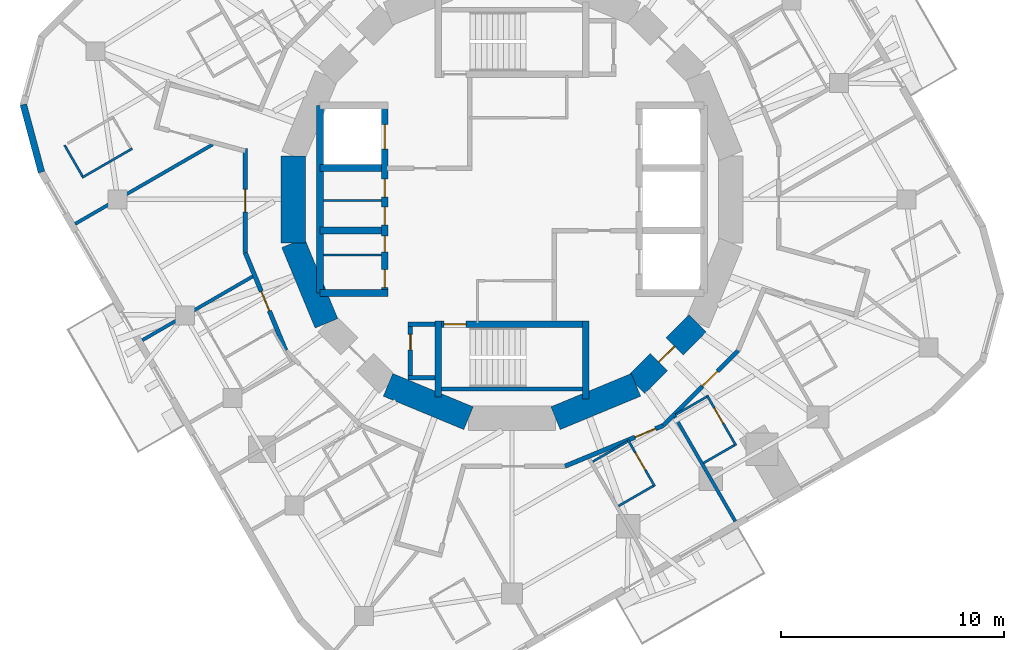
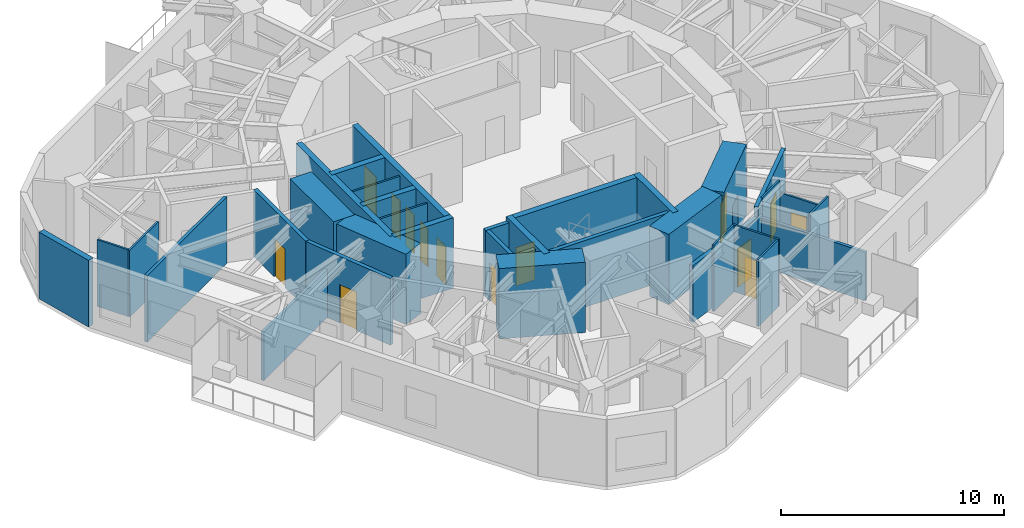
# One storey, part 5 of 11: 35 walls, 14 doors, 14 openings.
"""IFC4 building model written with IfcOpenShell, lengths in metres."""

from ifc_helpers import new_model, si_unit, direction, frame, frame_2d, origin, place, context, subcontext, project, spatial, rectangle, extrude, material, layer, layer_set, type_object, element, fill, save


model = new_model("IFC4")

# Units and contexts
model_context = context("Model", 3, precision=1e-05, world=origin(), true_north=direction((0.0, 1.0)))
body_context = subcontext(model_context, "Body", "Model", "MODEL_VIEW")
ifc_project = project(units=[si_unit("LENGTHUNIT", "METRE"), si_unit("AREAUNIT", "SQUARE_METRE"), si_unit("VOLUMEUNIT", "CUBIC_METRE"), si_unit("PLANEANGLEUNIT", "RADIAN"), si_unit("MASSUNIT", "GRAM", prefix="KILO")], contexts=[model_context])

# Site, building, storey
site_placement = place(None, origin())
site = spatial("IfcSite", under=ifc_project, at=site_placement, CompositionType="ELEMENT")
building_placement = place(site_placement, origin())
building = spatial("IfcBuilding", under=site, at=building_placement, Name="Nakasero Lantern House", CompositionType="ELEMENT")
storey_placement = place(building_placement, frame((0.0, 0.0, 242.35009765625)))
storey = spatial("IfcBuildingStorey", under=building, at=storey_placement, Name="L59", CompositionType="ELEMENT", Elevation=242.35009765625)

# Wall, openings, doors
ifc_material_1 = material(Name="Concrete C50/60", Category="concrete")
ifc_layer_1 = layer(ifc_material_1, 0.300048828125)
ifc_layer_set_1 = layer_set([ifc_layer_1], Name="Core inner wall 300")
wall_type_1 = type_object("IfcWallType", Name="Core inner wall 300", PredefinedType="SHEAR", material=ifc_layer_set_1)
wall_1_placement = place(storey_placement, frame((-5.699951171875, -4.199951171875, 0.0), z_axis=(0.0, 0.0, 1.0), x_axis=(0.0, 1.0, 0.0)))
wall_1 = element("IfcWall", 1, at=wall_1_placement, inside=storey, type_object=wall_type_1, Name="Core inner wall L59 LW", PredefinedType="SHEAR", context=body_context, shape_type="SweptSolid", body=[
    extrude(rectangle(XDim=8.39990234375, YDim=0.300048828125, at=frame_2d((4.199951171875, 0.0))), origin(), (0.0, 0.0, 1.0), 3.849853515625),
])
opening_1_placement = place(wall_1_placement, frame((0.25, 0.0, 0.0)))
opening_1 = element("IfcOpeningElement", 2, at=opening_1_placement, cuts=wall_1, Name="Opening D19", PredefinedType="OPENING", context=body_context, shape_type="SweptSolid", body=[
    extrude(rectangle(XDim=0.800048828125, YDim=2.10009765625, at=frame_2d((0.39990234375, 1.050048828125))), frame((0.0, 0.169921875, 0.0), z_axis=(0.0, -1.0, 0.0), x_axis=(1.0, 0.0, 0.0)), (0.0, 0.0, 1.0), 0.340087890625),
])
opening_2_placement = place(wall_1_placement, frame((1.85009765625, 0.0, 0.0)))
opening_2 = element("IfcOpeningElement", 3, at=opening_2_placement, cuts=wall_1, Name="Opening D20", PredefinedType="OPENING", context=body_context, shape_type="SweptSolid", body=[
    extrude(rectangle(XDim=0.699951171875, YDim=2.10009765625, at=frame_2d((0.35009765625, 1.050048828125))), frame((0.0, 0.169921875, 0.0), z_axis=(0.0, -1.0, 0.0), x_axis=(1.0, 0.0, 0.0)), (0.0, 0.0, 1.0), 0.340087890625),
])
opening_3_placement = place(wall_1_placement, frame((3.050048828125, 0.0, 0.0)))
opening_3 = element("IfcOpeningElement", 4, at=opening_3_placement, cuts=wall_1, Name="Opening D15", PredefinedType="OPENING", context=body_context, shape_type="SweptSolid", body=[
    extrude(rectangle(XDim=0.800048828125, YDim=2.10009765625, at=frame_2d((0.39990234375, 1.050048828125))), frame((0.0, 0.169921875, 0.0), z_axis=(0.0, -1.0, 0.0), x_axis=(1.0, 0.0, 0.0)), (0.0, 0.0, 1.0), 0.340087890625),
])
opening_4_placement = place(wall_1_placement, frame((4.300048828125, 0.0, 0.0)))
opening_4 = element("IfcOpeningElement", 5, at=opening_4_placement, cuts=wall_1, Name="Opening D15", PredefinedType="OPENING", context=body_context, shape_type="SweptSolid", body=[
    extrude(rectangle(XDim=0.800048828125, YDim=2.10009765625, at=frame_2d((0.39990234375, 1.050048828125))), frame((0.0, 0.169921875, 0.0), z_axis=(0.0, -1.0, 0.0), x_axis=(1.0, 0.0, 0.0)), (0.0, 0.0, 1.0), 0.340087890625),
])
opening_5_placement = place(wall_1_placement, frame((6.449951171875, 0.0, 0.0)))
opening_5 = element("IfcOpeningElement", 6, at=opening_5_placement, cuts=wall_1, Name="Opening LD", PredefinedType="OPENING", context=body_context, shape_type="SweptSolid", body=[
    extrude(rectangle(XDim=1.10009765625, YDim=2.10009765625, at=frame_2d((0.550048828125, 1.050048828125))), frame((0.0, 0.169921875, 0.0), z_axis=(0.0, -1.0, 0.0), x_axis=(1.0, 0.0, 0.0)), (0.0, 0.0, 1.0), 0.340087890625),
])
ifc_material_2 = material(Name="Timber C24", Category="wood")
door_type_1 = type_object("IfcDoorType", Name="Cleaner's store door FD30S 700", OperationType="SINGLE_SWING_LEFT", PredefinedType="DOOR", material=ifc_material_2)
door_1_placement = place(opening_2_placement, origin())
door_1 = element("IfcDoor", 7, at=door_1_placement, inside=storey, type_object=door_type_1, Name="Door L59 D-SH-LW1b", OperationType="SINGLE_SWING_LEFT", OverallHeight=2.10009765625, OverallWidth=0.699951171875, PredefinedType="DOOR", context=body_context, shape_type="SweptSolid", body=[
    extrude(rectangle(XDim=0.699951171875, YDim=2.10009765625, at=frame_2d((0.35009765625, 1.050048828125))), frame((0.0, 0.02490234375, 0.0), z_axis=(0.0, -1.0, 0.0), x_axis=(1.0, 0.0, 0.0)), (0.0, 0.0, 1.0), 0.050048828125),
])
fill(opening_2, door_1)
ifc_material_3 = material(Name="Timber C24", Category="wood")
door_type_2 = type_object("IfcDoorType", Name="Cleaner's store door FD30S 800", OperationType="SINGLE_SWING_LEFT", PredefinedType="DOOR", material=ifc_material_3)
door_2_placement = place(opening_3_placement, origin())
door_2 = element("IfcDoor", 8, at=door_2_placement, inside=storey, type_object=door_type_2, Name="Door L59 D-SH-LW2a", OperationType="SINGLE_SWING_LEFT", OverallHeight=2.10009765625, OverallWidth=0.800048828125, PredefinedType="DOOR", context=body_context, shape_type="SweptSolid", body=[
    extrude(rectangle(XDim=0.800048828125, YDim=2.10009765625, at=frame_2d((0.39990234375, 1.050048828125))), frame((0.0, 0.02490234375, 0.0), z_axis=(0.0, -1.0, 0.0), x_axis=(1.0, 0.0, 0.0)), (0.0, 0.0, 1.0), 0.050048828125),
])
fill(opening_3, door_2)
door_3_placement = place(opening_4_placement, origin())
door_3 = element("IfcDoor", 9, at=door_3_placement, inside=storey, type_object=door_type_2, Name="Door L59 D-SH-LW2b", OperationType="SINGLE_SWING_RIGHT", OverallHeight=2.10009765625, OverallWidth=0.800048828125, PredefinedType="DOOR", context=body_context, shape_type="SweptSolid", body=[
    extrude(rectangle(XDim=0.800048828125, YDim=2.10009765625, at=frame_2d((0.39990234375, 1.050048828125))), frame((0.0, 0.02490234375, 0.0), z_axis=(0.0, -1.0, 0.0), x_axis=(1.0, 0.0, 0.0)), (0.0, 0.0, 1.0), 0.050048828125),
])
fill(opening_4, door_3)
ifc_material_4 = material(Name="Steel S355", Category="steel")
door_type_3 = type_object("IfcDoorType", Name="Lift landing door E120 1100", OperationType="SLIDING_TO_LEFT", PredefinedType="DOOR", material=ifc_material_4)
door_4_placement = place(opening_5_placement, origin())
door_4 = element("IfcDoor", 10, at=door_4_placement, inside=storey, type_object=door_type_3, Name="Lift landing door LW3", OperationType="SLIDING_TO_LEFT", OverallHeight=2.10009765625, OverallWidth=1.10009765625, PredefinedType="DOOR", context=body_context, shape_type="SweptSolid", body=[
    extrude(rectangle(XDim=1.10009765625, YDim=2.10009765625, at=frame_2d((0.550048828125, 1.050048828125))), frame((0.0, 0.02490234375, 0.0), z_axis=(0.0, -1.0, 0.0), x_axis=(1.0, 0.0, 0.0)), (0.0, 0.0, 1.0), 0.050048828125),
])
fill(opening_5, door_4)
ifc_material_5 = material(Name="Steel S355", Category="steel")
door_type_4 = type_object("IfcDoorType", Name="Plant room door FD60 800", OperationType="SINGLE_SWING_LEFT", PredefinedType="DOOR", material=ifc_material_5)
door_5_placement = place(opening_1_placement, origin())
door_5 = element("IfcDoor", 11, at=door_5_placement, inside=storey, type_object=door_type_4, Name="Door L59 D-SH-LW1a", OperationType="SINGLE_SWING_LEFT", OverallHeight=2.10009765625, OverallWidth=0.800048828125, PredefinedType="DOOR", context=body_context, shape_type="SweptSolid", body=[
    extrude(rectangle(XDim=0.800048828125, YDim=2.10009765625, at=frame_2d((0.39990234375, 1.050048828125))), frame((0.0, 0.02490234375, 0.0), z_axis=(0.0, -1.0, 0.0), x_axis=(1.0, 0.0, 0.0)), (0.0, 0.0, 1.0), 0.050048828125),
])
fill(opening_1, door_5)

# Walls
wall_2_placement = place(storey_placement, frame((-8.60009765625, -4.199951171875, 0.0), z_axis=(0.0, 0.0, 1.0), x_axis=(1.0, 0.0, 0.0)))
element("IfcWall", 12, at=wall_2_placement, inside=storey, type_object=wall_type_1, Name="Core inner wall L59 LWS", PredefinedType="SHEAR", context=body_context, shape_type="SweptSolid", body=[
    extrude(rectangle(XDim=3.050048828125, YDim=0.300048828125, at=frame_2d((1.52490234375, 0.0))), origin(), (0.0, 0.0, 1.0), 3.849853515625),
])
wall_3_placement = place(storey_placement, frame((-8.60009765625, -4.199951171875, 0.0), z_axis=(0.0, 0.0, 1.0), x_axis=(0.0, 1.0, 0.0)))
element("IfcWall", 13, at=wall_3_placement, inside=storey, type_object=wall_type_1, Name="Core inner wall L59 LWB", PredefinedType="SHEAR", context=body_context, shape_type="SweptSolid", body=[
    extrude(rectangle(XDim=8.39990234375, YDim=0.300048828125, at=frame_2d((4.199951171875, 0.0))), origin(), (0.0, 0.0, 1.0), 3.849853515625),
])
for number, where, z_axis, x_axis, name in (
    (14, (-8.60009765625, -1.39990234375, 0.0), (0.0, 0.0, 1.0), (1.0, 0.0, 0.0), "Core inner wall L59 LW1"),
    (15, (-8.60009765625, 1.39990234375, 0.0), (0.0, 0.0, 1.0), (1.0, 0.0, 0.0), "Core inner wall L59 LW2"),
):
    element("IfcWall", number, at=place(storey_placement, frame(where, z_axis=z_axis, x_axis=x_axis)), inside=storey, type_object=wall_type_1, Name=name, PredefinedType="SHEAR", context=body_context, shape_type="SweptSolid", body=[
        extrude(rectangle(XDim=2.75, YDim=0.300048828125, at=frame_2d((1.375, 0.0))), origin(), (0.0, 0.0, 1.0), 3.849853515625),
    ])

# Wall, opening, door
wall_4_placement = place(storey_placement, frame((-3.449951171875, -5.60009765625, 0.0), z_axis=(0.0, 0.0, 1.0), x_axis=(1.0, 0.0, 0.0)))
wall_4 = element("IfcWall", 16, at=wall_4_placement, inside=storey, type_object=wall_type_1, Name="Core inner wall L59 SS", PredefinedType="SHEAR", context=body_context, shape_type="SweptSolid", body=[
    extrude(rectangle(XDim=6.89990234375, YDim=0.300048828125, at=frame_2d((3.449951171875, 0.0))), origin(), (0.0, 0.0, 1.0), 3.849853515625),
])
opening_6_placement = place(wall_4_placement, frame((0.39990234375, 0.0, 0.0)))
opening_6 = element("IfcOpeningElement", 17, at=opening_6_placement, cuts=wall_4, Name="Opening D05", PredefinedType="OPENING", context=body_context, shape_type="SweptSolid", body=[
    extrude(rectangle(XDim=1.0, YDim=2.10009765625, at=frame_2d((0.5, 1.050048828125))), frame((0.0, 0.169921875, 0.0), z_axis=(0.0, -1.0, 0.0), x_axis=(1.0, 0.0, 0.0)), (0.0, 0.0, 1.0), 0.340087890625),
])
ifc_material_6 = material(Name="Timber C24", Category="wood")
door_type_5 = type_object("IfcDoorType", Name="Core door FD60S 1000", OperationType="SINGLE_SWING_LEFT", PredefinedType="DOOR", material=ifc_material_6)
door_6_placement = place(opening_6_placement, origin())
door_6 = element("IfcDoor", 18, at=door_6_placement, inside=storey, type_object=door_type_5, Name="Door L59 D-ST2", OperationType="SINGLE_SWING_LEFT", OverallHeight=2.10009765625, OverallWidth=1.0, PredefinedType="DOOR", context=body_context, shape_type="SweptSolid", body=[
    extrude(rectangle(XDim=1.0, YDim=2.10009765625, at=frame_2d((0.5, 1.050048828125))), frame((0.0, 0.02490234375, 0.0), z_axis=(0.0, -1.0, 0.0), x_axis=(1.0, 0.0, 0.0)), (0.0, 0.0, 1.0), 0.050048828125),
])
fill(opening_6, door_6)

# Walls
wall_5_placement = place(storey_placement, frame((-3.300048828125, -5.449951171875, 0.0), z_axis=(0.0, 0.0, 1.0), x_axis=(0.0, -1.0, 0.0)))
element("IfcWall", 19, at=wall_5_placement, inside=storey, type_object=wall_type_1, Name="Core inner wall L59 SSW", PredefinedType="SHEAR", context=body_context, shape_type="SweptSolid", body=[
    extrude(rectangle(XDim=3.400146484375, YDim=0.300048828125, at=frame_2d((1.7001953125, 0.0))), origin(), (0.0, 0.0, 1.0), 3.849853515625),
])
wall_6_placement = place(storey_placement, frame((3.300048828125, -5.449951171875, 0.0), z_axis=(0.0, 0.0, 1.0), x_axis=(0.0, -1.0, 0.0)))
element("IfcWall", 20, at=wall_6_placement, inside=storey, type_object=wall_type_1, Name="Core inner wall L59 SSE", PredefinedType="SHEAR", context=body_context, shape_type="SweptSolid", body=[
    extrude(rectangle(XDim=3.5, YDim=0.300048828125, at=frame_2d((1.75, 0.0))), origin(), (0.0, 0.0, 1.0), 3.849853515625),
])
ifc_material_7 = material(Name="Blockwork", Category="masonry")
ifc_layer_2 = layer(ifc_material_7, 0.10009765625)
ifc_layer_set_2 = layer_set([ifc_layer_2], Name="Core room wall 100")
wall_type_2 = type_object("IfcWallType", Name="Core room wall 100", PredefinedType="PARTITIONING", material=ifc_layer_set_2)
for number, where, z_axis, x_axis, name in (
    (21, (-8.449951171875, -2.5, 0.0), (0.0, 0.0, 1.0), (1.0, 0.0, 0.0), "Core room wall L59 CR-SH-LW1b"),
    (22, (-8.449951171875, -0.050048828125, 0.0), (0.0, 0.0, 1.0), (1.0, 0.0, 0.0), "Core room wall L59 CR-SH-LW2b"),
):
    element("IfcWall", number, at=place(storey_placement, frame(where, z_axis=z_axis, x_axis=x_axis)), inside=storey, type_object=wall_type_2, Name=name, PredefinedType="PARTITIONING", context=body_context, shape_type="SweptSolid", body=[
        extrude(rectangle(XDim=2.599853515625, YDim=0.10009765625, at=frame_2d((1.2998046875, 0.0))), origin(), (0.0, 0.0, 1.0), 3.64990234375),
    ])
ifc_material_8 = material(Name="Concrete C50/60", Category="concrete")
ifc_layer_3 = layer(ifc_material_8, 1.10009765625)
ifc_layer_set_3 = layer_set([ifc_layer_3], Name="Core wall 1100")
wall_type_3 = type_object("IfcWallType", Name="Core wall 1100", PredefinedType="SHEAR", material=ifc_layer_set_3)
for number, where, z_axis, x_axis, name in (
    (23, (-9.807861328125, 1.950927734375, 0.0), (0.0, 0.0, 1.0), (0.0, -1.0, 0.0), "Core wall L59 facet 8"),
    (24, (-9.807861328125, -1.950927734375, 0.0), (0.0, 0.0, 1.0), (0.382690736062, -0.923876507187, 0.0), "Core wall L59 facet 9"),
    (25, (-5.5556640625, -8.314697265625, 0.0), (0.0, 0.0, 1.0), (0.923876507187, -0.382690736062, 0.0), "Core wall L59 facet 11"),
    (26, (1.950927734375, -9.807861328125, 0.0), (0.0, 0.0, 1.0), (0.923876507187, 0.382690736062, 0.0), "Core wall L59 facet 13"),
):
    element("IfcWall", number, at=place(storey_placement, frame(where, z_axis=z_axis, x_axis=x_axis)), inside=storey, type_object=wall_type_3, Name=name, PredefinedType="SHEAR", context=body_context, shape_type="SweptSolid", body=[
        extrude(rectangle(XDim=3.90185546875, YDim=1.10009765625, at=frame_2d((1.950927734375, 0.0))), origin(), (0.0, 0.0, 1.0), 3.849853515625),
    ])

# Wall, opening, door
wall_7_placement = place(storey_placement, frame((5.5556640625, -8.314697265625, 0.0), z_axis=(0.0, 0.0, 1.0), x_axis=(0.707106781187, 0.707106781187, 0.0)))
wall_7 = element("IfcWall", 27, at=wall_7_placement, inside=storey, type_object=wall_type_3, Name="Core wall L59 facet 14", PredefinedType="SHEAR", context=body_context, shape_type="SweptSolid", body=[
    extrude(rectangle(XDim=3.90185546875, YDim=1.10009765625, at=frame_2d((1.950927734375, 0.0))), origin(), (0.0, 0.0, 1.0), 3.849853515625),
])
opening_7_placement = place(wall_7_placement, frame((1.450927734375, 0.0, 0.0)))
opening_7 = element("IfcOpeningElement", 28, at=opening_7_placement, cuts=wall_7, Name="Opening D05", PredefinedType="OPENING", context=body_context, shape_type="SweptSolid", body=[
    extrude(rectangle(XDim=1.0, YDim=2.10009765625, at=frame_2d((0.5, 1.050048828125))), frame((0.0, 0.570068359375, 0.0), z_axis=(0.0, -1.0, 0.0), x_axis=(1.0, 0.0, 0.0)), (0.0, 0.0, 1.0), 1.14013671875),
])
door_7_placement = place(opening_7_placement, origin())
door_7 = element("IfcDoor", 29, at=door_7_placement, inside=storey, type_object=door_type_5, Name="Door L59 D-CORE14", OperationType="SINGLE_SWING_LEFT", OverallHeight=2.10009765625, OverallWidth=1.0, PredefinedType="DOOR", context=body_context, shape_type="SweptSolid", body=[
    extrude(rectangle(XDim=1.0, YDim=2.10009765625, at=frame_2d((0.5, 1.050048828125))), frame((0.0, 0.02490234375, 0.0), z_axis=(0.0, -1.0, 0.0), x_axis=(1.0, 0.0, 0.0)), (0.0, 0.0, 1.0), 0.050048828125),
])
fill(opening_7, door_7)

ifc_material_9 = material(Name="Blockwork", Category="masonry")
ifc_layer_4 = layer(ifc_material_9, 0.199951171875)
ifc_layer_set_4 = layer_set([ifc_layer_4], Name="Corridor wall 200")
wall_type_4 = type_object("IfcWallType", Name="Corridor wall 200", PredefinedType="PARTITIONING", material=ifc_layer_set_4)
wall_8_placement = place(storey_placement, frame((10.137451171875, -6.773681640625, 0.0), z_axis=(0.0, 0.0, 1.0), x_axis=(-0.707106781187, -0.707106781187, 0.0)))
wall_8 = element("IfcWall", 30, at=wall_8_placement, inside=storey, type_object=wall_type_4, Name="Corridor wall L59 RC02a", PredefinedType="PARTITIONING", context=body_context, shape_type="SweptSolid", body=[
    extrude(rectangle(XDim=4.757080078125, YDim=0.199951171875, at=frame_2d((2.37841796875, 0.0))), origin(), (0.0, 0.0, 1.0), 3.64990234375),
])
opening_8_placement = place(wall_8_placement, frame((1.320068359375, 0.0, 0.0)))
opening_8 = element("IfcOpeningElement", 31, at=opening_8_placement, cuts=wall_8, Name="Opening D01", PredefinedType="OPENING", context=body_context, shape_type="SweptSolid", body=[
    extrude(rectangle(XDim=0.949951171875, YDim=2.10009765625, at=frame_2d((0.47509765625, 1.050048828125))), frame((0.0, 0.119873046875, 0.0), z_axis=(0.0, -1.0, 0.0), x_axis=(1.0, 0.0, 0.0)), (0.0, 0.0, 1.0), 0.239990234375),
])
ifc_material_10 = material(Name="Timber C24", Category="wood")
door_type_6 = type_object("IfcDoorType", Name="Bedroom door FD30S 950", OperationType="SINGLE_SWING_LEFT", PredefinedType="DOOR", material=ifc_material_10)
door_8_placement = place(opening_8_placement, origin())
door_8 = element("IfcDoor", 32, at=door_8_placement, inside=storey, type_object=door_type_6, Name="Door L59 D3-04", OperationType="SINGLE_SWING_LEFT", OverallHeight=2.10009765625, OverallWidth=0.949951171875, PredefinedType="DOOR", context=body_context, shape_type="SweptSolid", body=[
    extrude(rectangle(XDim=0.949951171875, YDim=2.10009765625, at=frame_2d((0.47509765625, 1.050048828125))), frame((0.0, 0.02490234375, 0.0), z_axis=(0.0, -1.0, 0.0), x_axis=(1.0, 0.0, 0.0)), (0.0, 0.0, 1.0), 0.050048828125),
])
fill(opening_8, door_8)

wall_9_placement = place(storey_placement, frame((6.773681640625, -10.137451171875, 0.0), z_axis=(0.0, 0.0, 1.0), x_axis=(-0.923891735412, -0.382653970627, 0.0)))
wall_9 = element("IfcWall", 33, at=wall_9_placement, inside=storey, type_object=wall_type_4, Name="Corridor wall L59 RC03a", PredefinedType="PARTITIONING", context=body_context, shape_type="SweptSolid", body=[
    extrude(rectangle(XDim=4.757080078125, YDim=0.199951171875, at=frame_2d((2.37841796875, 0.0))), origin(), (0.0, 0.0, 1.0), 3.11328125),
])
opening_9_placement = place(wall_9_placement, frame((0.3701171875, 0.0, 0.0)))
opening_9 = element("IfcOpeningElement", 34, at=opening_9_placement, cuts=wall_9, Name="Opening D07", PredefinedType="OPENING", context=body_context, shape_type="SweptSolid", body=[
    extrude(rectangle(XDim=1.0, YDim=2.10009765625, at=frame_2d((0.5, 1.050048828125))), frame((0.0, 0.119873046875, 0.0), z_axis=(0.0, -1.0, 0.0), x_axis=(1.0, 0.0, 0.0)), (0.0, 0.0, 1.0), 0.239990234375),
])
ifc_material_11 = material(Name="Timber C24", Category="wood")
door_type_7 = type_object("IfcDoorType", Name="Room door FD30S 1000", OperationType="SINGLE_SWING_LEFT", PredefinedType="DOOR", material=ifc_material_11)
door_9_placement = place(opening_9_placement, origin())
door_9 = element("IfcDoor", 35, at=door_9_placement, inside=storey, type_object=door_type_7, Name="Door L59 D3-03", OperationType="SINGLE_SWING_LEFT", OverallHeight=2.10009765625, OverallWidth=1.0, PredefinedType="DOOR", context=body_context, shape_type="SweptSolid", body=[
    extrude(rectangle(XDim=1.0, YDim=2.10009765625, at=frame_2d((0.5, 1.050048828125))), frame((0.0, 0.02490234375, 0.0), z_axis=(0.0, -1.0, 0.0), x_axis=(1.0, 0.0, 0.0)), (0.0, 0.0, 1.0), 0.050048828125),
])
fill(opening_9, door_9)

wall_10_placement = place(storey_placement, frame((-10.137451171875, -6.773681640625, 0.0), z_axis=(0.0, 0.0, 1.0), x_axis=(-0.382653970627, 0.923891735412, 0.0)))
wall_10 = element("IfcWall", 36, at=wall_10_placement, inside=storey, type_object=wall_type_4, Name="Corridor wall L59 RC07a", PredefinedType="PARTITIONING", context=body_context, shape_type="SweptSolid", body=[
    extrude(rectangle(XDim=4.757080078125, YDim=0.199951171875, at=frame_2d((2.37841796875, 0.0))), origin(), (0.0, 0.0, 1.0), 3.64990234375),
])
opening_10_placement = place(wall_10_placement, frame((1.919921875, 0.0, 0.0)))
opening_10 = element("IfcOpeningElement", 37, at=opening_10_placement, cuts=wall_10, Name="Opening D01", PredefinedType="OPENING", context=body_context, shape_type="SweptSolid", body=[
    extrude(rectangle(XDim=0.949951171875, YDim=2.10009765625, at=frame_2d((0.47509765625, 1.050048828125))), frame((0.0, 0.119873046875, 0.0), z_axis=(0.0, -1.0, 0.0), x_axis=(1.0, 0.0, 0.0)), (0.0, 0.0, 1.0), 0.239990234375),
])
door_10_placement = place(opening_10_placement, origin())
door_10 = element("IfcDoor", 38, at=door_10_placement, inside=storey, type_object=door_type_6, Name="Door L59 D2-03", OperationType="SINGLE_SWING_RIGHT", OverallHeight=2.10009765625, OverallWidth=0.949951171875, PredefinedType="DOOR", context=body_context, shape_type="SweptSolid", body=[
    extrude(rectangle(XDim=0.949951171875, YDim=2.10009765625, at=frame_2d((0.47509765625, 1.050048828125))), frame((0.0, 0.02490234375, 0.0), z_axis=(0.0, -1.0, 0.0), x_axis=(1.0, 0.0, 0.0)), (0.0, 0.0, 1.0), 0.050048828125),
])
fill(opening_10, door_10)

wall_11_placement = place(storey_placement, frame((-11.957763671875, -2.378662109375, 0.0), z_axis=(0.0, 0.0, 1.0), x_axis=(0.0, 1.0, 0.0)))
wall_11 = element("IfcWall", 39, at=wall_11_placement, inside=storey, type_object=wall_type_4, Name="Corridor wall L59 RC08a", PredefinedType="PARTITIONING", context=body_context, shape_type="SweptSolid", body=[
    extrude(rectangle(XDim=4.651123046875, YDim=0.199951171875, at=frame_2d((2.32568359375, 0.0))), origin(), (0.0, 0.0, 1.0), 3.64990234375),
])
opening_11_placement = place(wall_11_placement, frame((1.820068359375, 0.0, 0.0)))
opening_11 = element("IfcOpeningElement", 40, at=opening_11_placement, cuts=wall_11, Name="Opening D03", PredefinedType="OPENING", context=body_context, shape_type="SweptSolid", body=[
    extrude(rectangle(XDim=1.0, YDim=2.10009765625, at=frame_2d((0.5, 1.050048828125))), frame((0.0, 0.119873046875, 0.0), z_axis=(0.0, -1.0, 0.0), x_axis=(1.0, 0.0, 0.0)), (0.0, 0.0, 1.0), 0.239990234375),
])
ifc_material_12 = material(Name="Timber C24", Category="wood")
door_type_8 = type_object("IfcDoorType", Name="Lounge door FD30S 1000", OperationType="SINGLE_SWING_LEFT", PredefinedType="DOOR", material=ifc_material_12)
door_11_placement = place(opening_11_placement, origin())
door_11 = element("IfcDoor", 41, at=door_11_placement, inside=storey, type_object=door_type_8, Name="Door L59 DK2", OperationType="SINGLE_SWING_LEFT", OverallHeight=2.10009765625, OverallWidth=1.0, PredefinedType="DOOR", context=body_context, shape_type="SweptSolid", body=[
    extrude(rectangle(XDim=1.0, YDim=2.10009765625, at=frame_2d((0.5, 1.050048828125))), frame((0.0, 0.02490234375, 0.0), z_axis=(0.0, -1.0, 0.0), x_axis=(1.0, 0.0, 0.0)), (0.0, 0.0, 1.0), 0.050048828125),
])
fill(opening_11, door_11)

# Walls
ifc_material_13 = material(Name="Blockwork", Category="masonry")
ifc_layer_5 = layer(ifc_material_13, 0.10009765625)
ifc_layer_set_5 = layer_set([ifc_layer_5], Name="En-suite wall 100")
wall_type_5 = type_object("IfcWallType", Name="En-suite wall 100", PredefinedType="PARTITIONING", material=ifc_layer_set_5)
wall_12_placement = place(storey_placement, frame((-17.015380859375, 2.271728515625, 0.0), z_axis=(0.0, 0.0, 1.0), x_axis=(-0.866021400173, -0.500006934395, 0.0)))
element("IfcWall", 42, at=wall_12_placement, inside=storey, type_object=wall_type_5, Name="En-suite wall L59 ES2-00", PredefinedType="PARTITIONING", context=body_context, shape_type="SweptSolid", body=[
    extrude(rectangle(XDim=2.60009765625, YDim=0.10009765625, at=frame_2d((1.300048828125, 0.0))), origin(), (0.0, 0.0, 1.0), 3.64990234375),
])
wall_13_placement = place(storey_placement, frame((-20.048828125, 2.425537109375, 0.0), z_axis=(0.0, 0.0, 1.0), x_axis=(0.500061482766, -0.865989903783, 0.0)))
element("IfcWall", 43, at=wall_13_placement, inside=storey, type_object=wall_type_5, Name="En-suite wall L59 EE2-00", PredefinedType="PARTITIONING", context=body_context, shape_type="SweptSolid", body=[
    extrude(rectangle(XDim=1.599853515625, YDim=0.10009765625, at=frame_2d((0.7998046875, 0.0))), origin(), (0.0, 0.0, 1.0), 3.64990234375),
])

# Wall, opening, door
wall_14_placement = place(storey_placement, frame((5.19775390625, -10.783935546875, 0.0), z_axis=(0.0, 0.0, 1.0), x_axis=(0.500077600433, -0.865980596518, 0.0)))
wall_14 = element("IfcWall", 44, at=wall_14_placement, inside=storey, type_object=wall_type_5, Name="En-suite wall L59 ES3-03", PredefinedType="PARTITIONING", context=body_context, shape_type="SweptSolid", body=[
    extrude(rectangle(XDim=2.39990234375, YDim=0.10009765625, at=frame_2d((1.199951171875, 0.0))), origin(), (0.0, 0.0, 1.0), 3.64990234375),
])
opening_12_placement = place(wall_14_placement, frame((0.64990234375, 0.0, 0.0)))
opening_12 = element("IfcOpeningElement", 45, at=opening_12_placement, cuts=wall_14, Name="Opening D16", PredefinedType="OPENING", context=body_context, shape_type="SweptSolid", body=[
    extrude(rectangle(XDim=0.89990234375, YDim=2.10009765625, at=frame_2d((0.449951171875, 1.050048828125))), frame((0.0, 0.070068359375, 0.0), z_axis=(0.0, -1.0, 0.0), x_axis=(1.0, 0.0, 0.0)), (0.0, 0.0, 1.0), 0.14013671875),
])
ifc_material_14 = material(Name="Timber C24", Category="wood")
door_type_9 = type_object("IfcDoorType", Name="Accessible WC door 900", OperationType="SINGLE_SWING_RIGHT", PredefinedType="DOOR", material=ifc_material_14)
door_12_placement = place(opening_12_placement, origin())
door_12 = element("IfcDoor", 46, at=door_12_placement, inside=storey, type_object=door_type_9, Name="Door L59 DE3-03", OperationType="SINGLE_SWING_LEFT", OverallHeight=2.10009765625, OverallWidth=0.89990234375, PredefinedType="DOOR", context=body_context, shape_type="SweptSolid", body=[
    extrude(rectangle(XDim=0.89990234375, YDim=2.10009765625, at=frame_2d((0.449951171875, 1.050048828125))), frame((0.0, 0.02490234375, 0.0), z_axis=(0.0, -1.0, 0.0), x_axis=(1.0, 0.0, 0.0)), (0.0, 0.0, 1.0), 0.050048828125),
])
fill(opening_12, door_12)

# Walls
for number, where, z_axis, x_axis, name in (
    (47, (4.770751953125, -13.744140625, 0.0), (0.0, 0.0, 1.0), (0.865989075817, 0.500062916607, 0.0), "En-suite wall L59 EE3-03"),
    (48, (3.62060546875, -11.752197265625, 0.0), (0.0, 0.0, 1.0), (0.866047807691, 0.499961193289, 0.0), "En-suite wall L59 EI3-03"),
):
    element("IfcWall", number, at=place(storey_placement, frame(where, z_axis=z_axis, x_axis=x_axis)), inside=storey, type_object=wall_type_5, Name=name, PredefinedType="PARTITIONING", context=body_context, shape_type="SweptSolid", body=[
        extrude(rectangle(XDim=1.800048828125, YDim=0.10009765625, at=frame_2d((0.89990234375, 0.0))), origin(), (0.0, 0.0, 1.0), 3.64990234375),
    ])

# Wall, opening, door
wall_15_placement = place(storey_placement, frame((8.737548828125, -8.7822265625, 0.0), z_axis=(0.0, 0.0, 1.0), x_axis=(0.500006934395, -0.866021400173, 0.0)))
wall_15 = element("IfcWall", 49, at=wall_15_placement, inside=storey, type_object=wall_type_5, Name="En-suite wall L59 ES3-04", PredefinedType="PARTITIONING", context=body_context, shape_type="SweptSolid", body=[
    extrude(rectangle(XDim=2.60009765625, YDim=0.10009765625, at=frame_2d((1.300048828125, 0.0))), origin(), (0.0, 0.0, 1.0), 2.96630859375),
])
opening_13_placement = place(wall_15_placement, frame((0.64990234375, 0.0, 0.0)))
opening_13 = element("IfcOpeningElement", 50, at=opening_13_placement, cuts=wall_15, Name="Opening D02", PredefinedType="OPENING", context=body_context, shape_type="SweptSolid", body=[
    extrude(rectangle(XDim=0.800048828125, YDim=2.10009765625, at=frame_2d((0.39990234375, 1.050048828125))), frame((0.0, 0.070068359375, 0.0), z_axis=(0.0, -1.0, 0.0), x_axis=(1.0, 0.0, 0.0)), (0.0, 0.0, 1.0), 0.14013671875),
])
ifc_material_15 = material(Name="Timber C24", Category="wood")
door_type_10 = type_object("IfcDoorType", Name="En-suite door 800", OperationType="SINGLE_SWING_RIGHT", PredefinedType="DOOR", material=ifc_material_15)
door_13_placement = place(opening_13_placement, origin())
door_13 = element("IfcDoor", 51, at=door_13_placement, inside=storey, type_object=door_type_10, Name="Door L59 DE3-04", OperationType="SINGLE_SWING_LEFT", OverallHeight=2.10009765625, OverallWidth=0.800048828125, PredefinedType="DOOR", context=body_context, shape_type="SweptSolid", body=[
    extrude(rectangle(XDim=0.800048828125, YDim=2.10009765625, at=frame_2d((0.39990234375, 1.050048828125))), frame((0.0, 0.02490234375, 0.0), z_axis=(0.0, -1.0, 0.0), x_axis=(1.0, 0.0, 0.0)), (0.0, 0.0, 1.0), 0.050048828125),
])
fill(opening_13, door_13)

# Walls
for number, where, z_axis, x_axis, name in (
    (52, (8.583740234375, -11.8154296875, 0.0), (0.0, 0.0, 1.0), (0.866055983265, 0.499947031044, 0.0), "En-suite wall L59 EE3-04"),
    (53, (7.333740234375, -9.650390625, 0.0), (0.0, 0.0, 1.0), (0.865989903783, 0.500061482766, 0.0), "En-suite wall L59 EI3-04"),
):
    element("IfcWall", number, at=place(storey_placement, frame(where, z_axis=z_axis, x_axis=x_axis)), inside=storey, type_object=wall_type_5, Name=name, PredefinedType="PARTITIONING", context=body_context, shape_type="SweptSolid", body=[
        extrude(rectangle(XDim=1.599853515625, YDim=0.10009765625, at=frame_2d((0.7998046875, 0.0))), origin(), (0.0, 0.0, 1.0), 3.64990234375),
    ])
ifc_material_16 = material(Name="Aluminium rainscreen on blockwork", Category="masonry")
ifc_layer_6 = layer(ifc_material_16, 0.300048828125)
ifc_layer_set_6 = layer_set([ifc_layer_6], Name="Facade wall 300")
wall_type_6 = type_object("IfcWallType", Name="Facade wall 300", PredefinedType="SOLIDWALL", material=ifc_layer_set_6)
wall_16_placement = place(storey_placement, frame((-21.89599609375, 4.245849609375, 0.0), z_axis=(0.0, 0.0, 1.0), x_axis=(0.258827010283, -0.96592369199, 0.0)))
element("IfcWall", 54, at=wall_16_placement, inside=storey, type_object=wall_type_6, Name="Facade wall L59 FW1C3", PredefinedType="SOLIDWALL", context=body_context, shape_type="SweptSolid", body=[
    extrude(rectangle(XDim=3.131591796875, YDim=0.300048828125, at=frame_2d((1.56591796875, 0.0))), origin(), (0.0, 0.0, 1.0), 3.64990234375),
])

# Wall, opening, door
ifc_material_17 = material(Name="Blockwork", Category="masonry")
ifc_layer_7 = layer(ifc_material_17, 0.199951171875)
ifc_layer_set_7 = layer_set([ifc_layer_7], Name="Fire lobby wall 200")
wall_type_7 = type_object("IfcWallType", Name="Fire lobby wall 200", PredefinedType="PARTITIONING", material=ifc_layer_set_7)
wall_17_placement = place(storey_placement, frame((-4.550048828125, -5.60009765625, 0.0), z_axis=(0.0, 0.0, 1.0), x_axis=(0.0, -1.0, 0.0)))
wall_17 = element("IfcWall", 55, at=wall_17_placement, inside=storey, type_object=wall_type_7, Name="Fire lobby wall L59 W-RS2W", PredefinedType="PARTITIONING", context=body_context, shape_type="SweptSolid", body=[
    extrude(rectangle(XDim=2.39990234375, YDim=0.199951171875, at=frame_2d((1.199951171875, 0.0))), origin(), (0.0, 0.0, 1.0), 3.64990234375),
])
opening_14_placement = place(wall_17_placement, frame((0.449951171875, 0.0, 0.0)))
opening_14 = element("IfcOpeningElement", 56, at=opening_14_placement, cuts=wall_17, Name="Opening D06", PredefinedType="OPENING", context=body_context, shape_type="SweptSolid", body=[
    extrude(rectangle(XDim=0.699951171875, YDim=2.10009765625, at=frame_2d((0.35009765625, 1.050048828125))), frame((0.0, 0.119873046875, 0.0), z_axis=(0.0, -1.0, 0.0), x_axis=(1.0, 0.0, 0.0)), (0.0, 0.0, 1.0), 0.239990234375),
])
ifc_material_18 = material(Name="Steel S355", Category="steel")
door_type_11 = type_object("IfcDoorType", Name="Riser door FD60 700", OperationType="SINGLE_SWING_LEFT", PredefinedType="DOOR", material=ifc_material_18)
door_14_placement = place(opening_14_placement, origin())
door_14 = element("IfcDoor", 57, at=door_14_placement, inside=storey, type_object=door_type_11, Name="Door L59 D-RS2", OperationType="SINGLE_SWING_LEFT", OverallHeight=2.10009765625, OverallWidth=0.699951171875, PredefinedType="DOOR", context=body_context, shape_type="SweptSolid", body=[
    extrude(rectangle(XDim=0.699951171875, YDim=2.10009765625, at=frame_2d((0.35009765625, 1.050048828125))), frame((0.0, 0.02490234375, 0.0), z_axis=(0.0, -1.0, 0.0), x_axis=(1.0, 0.0, 0.0)), (0.0, 0.0, 1.0), 0.050048828125),
])
fill(opening_14, door_14)

# Walls
for number, where, z_axis, x_axis, name in (
    (58, (-3.449951171875, -8.0, 0.0), (0.0, 0.0, 1.0), (-1.0, 0.0, 0.0), "Fire lobby wall L59 W-RS2S"),
    (59, (-3.449951171875, -5.60009765625, 0.0), (0.0, 0.0, 1.0), (-1.0, 0.0, 0.0), "Fire lobby wall L59 W-RS2N"),
):
    element("IfcWall", number, at=place(storey_placement, frame(where, z_axis=z_axis, x_axis=x_axis)), inside=storey, type_object=wall_type_7, Name=name, PredefinedType="PARTITIONING", context=body_context, shape_type="SweptSolid", body=[
        extrude(rectangle(XDim=1.199951171875, YDim=0.199951171875, at=frame_2d((0.60009765625, 0.0))), origin(), (0.0, 0.0, 1.0), 3.64990234375),
    ])
wall_18_placement = place(storey_placement, frame((-3.300048828125, -8.5, 0.0), z_axis=(0.0, 0.0, 1.0), x_axis=(1.0, 0.0, 0.0)))
element("IfcWall", 60, at=wall_18_placement, inside=storey, type_object=wall_type_7, Name="Fire lobby wall L59 W-STS", PredefinedType="PARTITIONING", context=body_context, shape_type="SweptSolid", body=[
    extrude(rectangle(XDim=6.60009765625, YDim=0.199951171875, at=frame_2d((3.300048828125, 0.0))), origin(), (0.0, 0.0, 1.0), 3.64990234375),
])
ifc_material_19 = material(Name="Blockwork", Category="masonry")
ifc_layer_8 = layer(ifc_material_19, 0.14990234375)
ifc_layer_set_8 = layer_set([ifc_layer_8], Name="Party wall 150")
wall_type_8 = type_object("IfcWallType", Name="Party wall 150", PredefinedType="PARTITIONING", material=ifc_layer_set_8)
wall_19_placement = place(storey_placement, frame((-13.4140625, 2.45556640625, 0.0), z_axis=(0.0, 0.0, 1.0), x_axis=(-0.866011773653, -0.500023607337, 0.0)))
element("IfcWall", 61, at=wall_19_placement, inside=storey, type_object=wall_type_8, Name="Party wall L59 PW2-01", PredefinedType="PARTITIONING", context=body_context, shape_type="SweptSolid", body=[
    extrude(rectangle(XDim=7.111083984375, YDim=0.14990234375, at=frame_2d((3.5556640625, 0.0))), origin(), (0.0, 0.0, 1.0), 3.64990234375),
])
wall_20_placement = place(storey_placement, frame((-11.619140625, -3.457275390625, 0.0), z_axis=(0.0, 0.0, 1.0), x_axis=(-0.866023927955, -0.500002556202, 0.0)))
element("IfcWall", 62, at=wall_20_placement, inside=storey, type_object=wall_type_8, Name="Party wall L59 PW2-03", PredefinedType="PARTITIONING", context=body_context, shape_type="SweptSolid", body=[
    extrude(rectangle(XDim=5.708984375, YDim=0.14990234375, at=frame_2d((2.8544921875, 0.0))), origin(), (0.0, 0.0, 1.0), 2.641845703125),
])
wall_21_placement = place(storey_placement, frame((7.3037109375, -9.748779296875, 0.0), z_axis=(0.0, 0.0, 1.0), x_axis=(0.500030010259, -0.86600807666, 0.0)))
element("IfcWall", 63, at=wall_21_placement, inside=storey, type_object=wall_type_8, Name="Party wall L59 PW3-04", PredefinedType="PARTITIONING", context=body_context, shape_type="SweptSolid", body=[
    extrude(rectangle(XDim=5.405517578125, YDim=0.14990234375, at=frame_2d((2.70263671875, 0.0))), origin(), (0.0, 0.0, 1.0), 2.659912109375),
])

save(model, "model.ifc")
